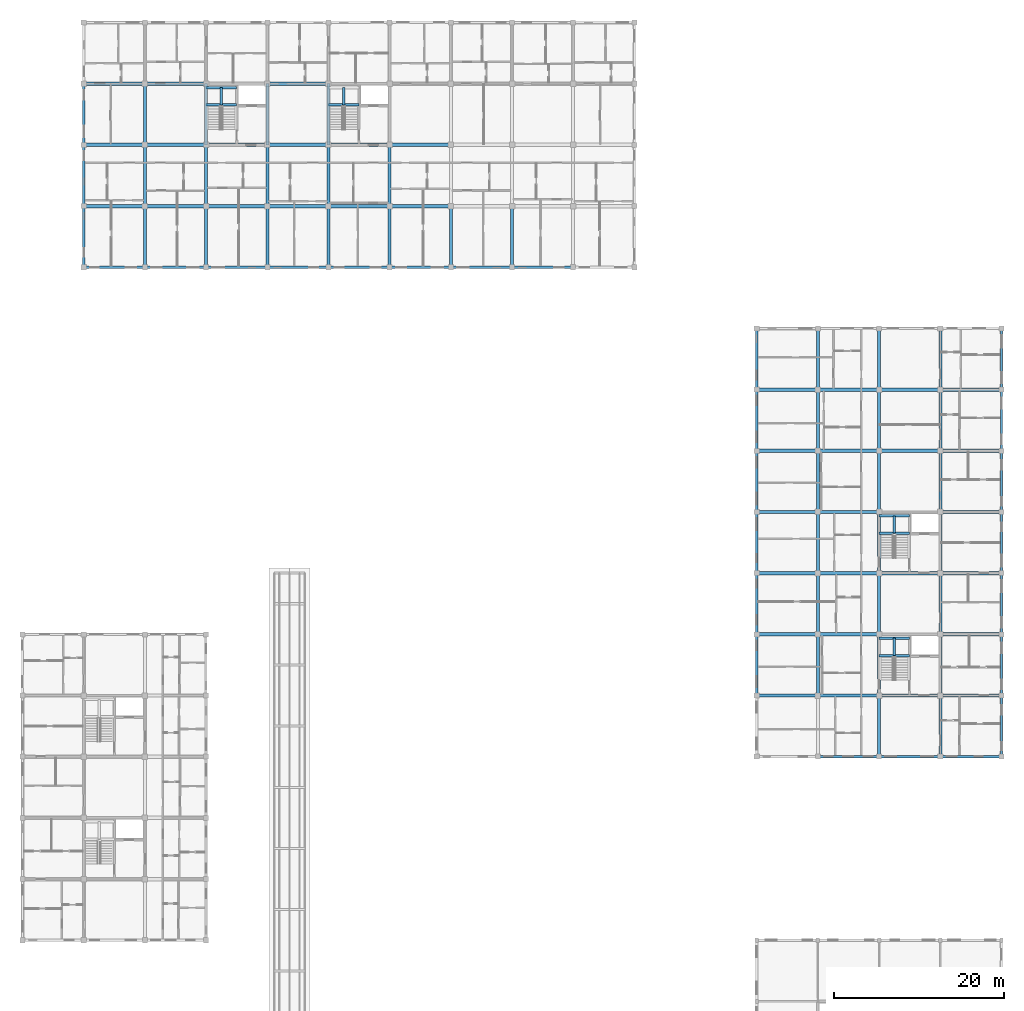
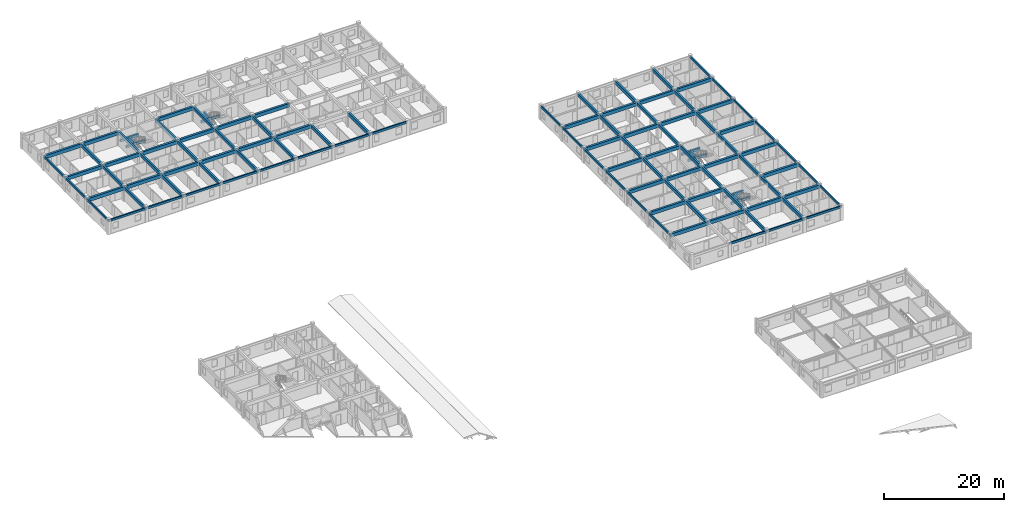
# One storey, part 11 of 50: 111 beams.
"""IFC4 building model written with IfcOpenShell, lengths in metres."""

from ifc_helpers import new_model, si_unit, direction, frame, origin, origin_2d, place, context, subcontext, project, spatial, rectangle, extrude, material, material_profile, profile_set, type_object, element, save


model = new_model("IFC4")

# Units and contexts
model_context = context("Model", 3, precision=1e-05, world=origin(), true_north=direction((0.0, 1.0)))
body_context = subcontext(model_context, "Body", "Model", "MODEL_VIEW")
ifc_project = project(units=[si_unit("LENGTHUNIT", "METRE"), si_unit("AREAUNIT", "SQUARE_METRE"), si_unit("VOLUMEUNIT", "CUBIC_METRE"), si_unit("PLANEANGLEUNIT", "RADIAN"), si_unit("MASSUNIT", "GRAM", prefix="KILO"), si_unit("THERMODYNAMICTEMPERATUREUNIT", "KELVIN"), si_unit("POWERUNIT", "WATT")], contexts=[model_context])

# Site, building, storey
site_placement = place(None, origin())
site = spatial("IfcSite", under=ifc_project, at=site_placement, CompositionType="ELEMENT")
building_placement = place(site_placement, origin())
building = spatial("IfcBuilding", under=site, at=building_placement, Name="Tavuni Mirador Residences", CompositionType="ELEMENT")
storey_placement = place(building_placement, frame((0.0, 0.0, 4.5)))
storey = spatial("IfcBuildingStorey", under=building, at=storey_placement, Name="L01", CompositionType="ELEMENT", Elevation=4.5)

# Beams
ifc_material = material(Name="Precast concrete C40/50", Category="concrete")
ifc_material_profile_1 = material_profile(ifc_material, rectangle(XDim=0.300048828125, YDim=0.5, at=origin_2d()), Name="PC 300x500", Category="concrete")
ifc_profile_set_1 = profile_set([ifc_material_profile_1], Name="Precast concrete C40/50")
beam_type_1 = type_object("IfcBeamType", Name="BT-B500", PredefinedType="BEAM", material=ifc_profile_set_1)
for number, where, z_axis, x_axis, name in (
    (1, (25.199951171875, 163.10009765625, 1.14501953125), (1.0, 0.0, 0.0), (0.0, 1.0, 0.0), "HLB1-C5-L01"),
    (2, (25.199951171875, 165.14990234375, 1.14501953125), (1.0, 0.0, 0.0), (0.0, 1.0, 0.0), "HLB2-C5-L01"),
):
    element("IfcBeam", number, at=place(storey_placement, frame(where, z_axis=z_axis, x_axis=x_axis)), inside=storey, type_object=beam_type_1, Name=name, PredefinedType="BEAM", context=body_context, shape_type="SweptSolid", body=[
        extrude(rectangle(XDim=0.300048828125, YDim=0.5, at=origin_2d()), origin(), (0.0, 0.0, 1.0), 3.60009765625),
    ])
beam_1_placement = place(storey_placement, frame((27.0, 163.10009765625, 1.14501953125), z_axis=(0.0, 1.0, 0.0), x_axis=(-1.0, 0.0, 0.0)))
element("IfcBeam", 3, at=beam_1_placement, inside=storey, type_object=beam_type_1, Name="HLB3-C5-L01", PredefinedType="BEAM", context=body_context, shape_type="SweptSolid", body=[
    extrude(rectangle(XDim=0.300048828125, YDim=0.5, at=origin_2d()), origin(), (0.0, 0.0, 1.0), 2.0498046875),
])
beam_2_placement = place(storey_placement, frame((39.60009765625, 163.10009765625, 1.14501953125), z_axis=(1.0, 0.0, 0.0), x_axis=(0.0, 1.0, 0.0)))
element("IfcBeam", 4, at=beam_2_placement, inside=storey, type_object=beam_type_1, Name="HLB1-C6-L01", PredefinedType="BEAM", context=body_context, shape_type="SweptSolid", body=[
    extrude(rectangle(XDim=0.300048828125, YDim=0.5, at=origin_2d()), origin(), (0.0, 0.0, 1.0), 3.599853515625),
])
beam_3_placement = place(storey_placement, frame((41.39990234375, 163.10009765625, 1.14501953125), z_axis=(0.0, 1.0, 0.0), x_axis=(-1.0, 0.0, 0.0)))
element("IfcBeam", 5, at=beam_3_placement, inside=storey, type_object=beam_type_1, Name="HLB3-C6-L01", PredefinedType="BEAM", context=body_context, shape_type="SweptSolid", body=[
    extrude(rectangle(XDim=0.300048828125, YDim=0.5, at=origin_2d()), origin(), (0.0, 0.0, 1.0), 2.0498046875),
])
for number, where, z_axis, x_axis, name in (
    (6, (104.39990234375, 98.300048828125, 1.14501953125), (1.0, 0.0, 0.0), (0.0, 1.0, 0.0), "HLB1-C7-L01"),
    (7, (104.39990234375, 100.35009765625, 1.14501953125), (1.0, 0.0, 0.0), (0.0, 1.0, 0.0), "HLB2-C7-L01"),
):
    element("IfcBeam", number, at=place(storey_placement, frame(where, z_axis=z_axis, x_axis=x_axis)), inside=storey, type_object=beam_type_1, Name=name, PredefinedType="BEAM", context=body_context, shape_type="SweptSolid", body=[
        extrude(rectangle(XDim=0.300048828125, YDim=0.5, at=origin_2d()), origin(), (0.0, 0.0, 1.0), 3.60009765625),
    ])
beam_4_placement = place(storey_placement, frame((106.199951171875, 98.300048828125, 1.14501953125), z_axis=(0.0, 1.0, 0.0), x_axis=(-1.0, 0.0, 0.0)))
element("IfcBeam", 8, at=beam_4_placement, inside=storey, type_object=beam_type_1, Name="HLB3-C7-L01", PredefinedType="BEAM", context=body_context, shape_type="SweptSolid", body=[
    extrude(rectangle(XDim=0.300048828125, YDim=0.5, at=origin_2d()), origin(), (0.0, 0.0, 1.0), 2.050048828125),
])
for number, where, z_axis, x_axis, name in (
    (9, (104.39990234375, 112.699951171875, 1.14501953125), (1.0, 0.0, 0.0), (0.0, 1.0, 0.0), "HLB1-C8-L01"),
    (10, (104.39990234375, 114.75, 1.14501953125), (1.0, 0.0, 0.0), (0.0, 1.0, 0.0), "HLB2-C8-L01"),
):
    element("IfcBeam", number, at=place(storey_placement, frame(where, z_axis=z_axis, x_axis=x_axis)), inside=storey, type_object=beam_type_1, Name=name, PredefinedType="BEAM", context=body_context, shape_type="SweptSolid", body=[
        extrude(rectangle(XDim=0.300048828125, YDim=0.5, at=origin_2d()), origin(), (0.0, 0.0, 1.0), 3.60009765625),
    ])
beam_5_placement = place(storey_placement, frame((106.199951171875, 112.699951171875, 1.14501953125), z_axis=(0.0, 1.0, 0.0), x_axis=(-1.0, 0.0, 0.0)))
element("IfcBeam", 11, at=beam_5_placement, inside=storey, type_object=beam_type_1, Name="HLB3-C8-L01", PredefinedType="BEAM", context=body_context, shape_type="SweptSolid", body=[
    extrude(rectangle(XDim=0.300048828125, YDim=0.5, at=origin_2d()), origin(), (0.0, 0.0, 1.0), 2.050048828125),
])
ifc_material_profile_2 = material_profile(ifc_material, rectangle(XDim=0.35009765625, YDim=0.64990234375, at=origin_2d()), Name="PC 350x650", Category="concrete")
ifc_profile_set_2 = profile_set([ifc_material_profile_2], Name="Precast concrete C40/50")
beam_type_2 = type_object("IfcBeamType", Name="BT-B650", PredefinedType="BEAM", material=ifc_profile_set_2)
for number, where, z_axis, x_axis, name in (
    (12, (18.0, 144.0, 2.56005859375), (0.0, 1.0, 0.0), (-1.0, 0.0, 0.0), "BMY-BLK-C-L01-01-00"),
    (13, (18.0, 151.199951171875, 2.56005859375), (0.0, 1.0, 0.0), (-1.0, 0.0, 0.0), "BMY-BLK-C-L01-01-01"),
):
    element("IfcBeam", number, at=place(storey_placement, frame(where, z_axis=z_axis, x_axis=x_axis)), inside=storey, type_object=beam_type_2, Name=name, PredefinedType="BEAM", context=body_context, shape_type="SweptSolid", body=[
        extrude(rectangle(XDim=0.35009765625, YDim=0.64990234375, at=origin_2d()), origin(), (0.0, 0.0, 1.0), 7.199951171875),
    ])
beam_6_placement = place(storey_placement, frame((18.0, 158.39990234375, 2.56005859375), z_axis=(0.0, 1.0, 0.0), x_axis=(-1.0, 0.0, 0.0)))
element("IfcBeam", 14, at=beam_6_placement, inside=storey, type_object=beam_type_2, Name="BMY-BLK-C-L01-01-02", PredefinedType="BEAM", context=body_context, shape_type="SweptSolid", body=[
    extrude(rectangle(XDim=0.35009765625, YDim=0.64990234375, at=origin_2d()), origin(), (0.0, 0.0, 1.0), 7.2001953125),
])
for number, where, z_axis, x_axis, name in (
    (15, (25.199951171875, 144.0, 2.56005859375), (0.0, 1.0, 0.0), (-1.0, 0.0, 0.0), "BMY-BLK-C-L01-02-00"),
    (16, (25.199951171875, 151.199951171875, 2.56005859375), (0.0, 1.0, 0.0), (-1.0, 0.0, 0.0), "BMY-BLK-C-L01-02-01"),
):
    element("IfcBeam", number, at=place(storey_placement, frame(where, z_axis=z_axis, x_axis=x_axis)), inside=storey, type_object=beam_type_2, Name=name, PredefinedType="BEAM", context=body_context, shape_type="SweptSolid", body=[
        extrude(rectangle(XDim=0.35009765625, YDim=0.64990234375, at=origin_2d()), origin(), (0.0, 0.0, 1.0), 7.199951171875),
    ])
beam_7_placement = place(storey_placement, frame((25.199951171875, 158.39990234375, 2.56005859375), z_axis=(0.0, 1.0, 0.0), x_axis=(-1.0, 0.0, 0.0)))
element("IfcBeam", 17, at=beam_7_placement, inside=storey, type_object=beam_type_2, Name="BMY-BLK-C-L01-02-02", PredefinedType="BEAM", context=body_context, shape_type="SweptSolid", body=[
    extrude(rectangle(XDim=0.35009765625, YDim=0.64990234375, at=origin_2d()), origin(), (0.0, 0.0, 1.0), 7.2001953125),
])
for number, where, z_axis, x_axis, name in (
    (18, (32.39990234375, 144.0, 2.56005859375), (0.0, 1.0, 0.0), (-1.0, 0.0, 0.0), "BMY-BLK-C-L01-03-00"),
    (19, (32.39990234375, 151.199951171875, 2.56005859375), (0.0, 1.0, 0.0), (-1.0, 0.0, 0.0), "BMY-BLK-C-L01-03-01"),
):
    element("IfcBeam", number, at=place(storey_placement, frame(where, z_axis=z_axis, x_axis=x_axis)), inside=storey, type_object=beam_type_2, Name=name, PredefinedType="BEAM", context=body_context, shape_type="SweptSolid", body=[
        extrude(rectangle(XDim=0.35009765625, YDim=0.64990234375, at=origin_2d()), origin(), (0.0, 0.0, 1.0), 7.199951171875),
    ])
beam_8_placement = place(storey_placement, frame((32.39990234375, 158.39990234375, 2.56005859375), z_axis=(0.0, 1.0, 0.0), x_axis=(-1.0, 0.0, 0.0)))
element("IfcBeam", 20, at=beam_8_placement, inside=storey, type_object=beam_type_2, Name="BMY-BLK-C-L01-03-02", PredefinedType="BEAM", context=body_context, shape_type="SweptSolid", body=[
    extrude(rectangle(XDim=0.35009765625, YDim=0.64990234375, at=origin_2d()), origin(), (0.0, 0.0, 1.0), 7.2001953125),
])
for number, where, z_axis, x_axis, name in (
    (21, (39.60009765625, 144.0, 2.56005859375), (0.0, 1.0, 0.0), (-1.0, 0.0, 0.0), "BMY-BLK-C-L01-04-00"),
    (22, (39.60009765625, 151.199951171875, 2.56005859375), (0.0, 1.0, 0.0), (-1.0, 0.0, 0.0), "BMY-BLK-C-L01-04-01"),
):
    element("IfcBeam", number, at=place(storey_placement, frame(where, z_axis=z_axis, x_axis=x_axis)), inside=storey, type_object=beam_type_2, Name=name, PredefinedType="BEAM", context=body_context, shape_type="SweptSolid", body=[
        extrude(rectangle(XDim=0.35009765625, YDim=0.64990234375, at=origin_2d()), origin(), (0.0, 0.0, 1.0), 7.199951171875),
    ])
beam_9_placement = place(storey_placement, frame((39.60009765625, 158.39990234375, 2.56005859375), z_axis=(0.0, 1.0, 0.0), x_axis=(-1.0, 0.0, 0.0)))
element("IfcBeam", 23, at=beam_9_placement, inside=storey, type_object=beam_type_2, Name="BMY-BLK-C-L01-04-02", PredefinedType="BEAM", context=body_context, shape_type="SweptSolid", body=[
    extrude(rectangle(XDim=0.35009765625, YDim=0.64990234375, at=origin_2d()), origin(), (0.0, 0.0, 1.0), 7.2001953125),
])
for number, where, z_axis, x_axis, name in (
    (24, (46.800048828125, 144.0, 2.56005859375), (0.0, 1.0, 0.0), (-1.0, 0.0, 0.0), "BMY-BLK-C-L01-05-00"),
    (25, (46.800048828125, 151.199951171875, 2.56005859375), (0.0, 1.0, 0.0), (-1.0, 0.0, 0.0), "BMY-BLK-C-L01-05-01"),
    (26, (54.0, 144.0, 2.56005859375), (0.0, 1.0, 0.0), (-1.0, 0.0, 0.0), "BMY-BLK-C-L01-06-00"),
    (27, (61.199951171875, 144.0, 2.56005859375), (0.0, 1.0, 0.0), (-1.0, 0.0, 0.0), "BMY-BLK-C-L01-07-00"),
    (28, (97.199951171875, 93.60009765625, 2.56494140625), (0.0, 1.0, 0.0), (-1.0, 0.0, 0.0), "BMY-BLK-D-L01-01-01"),
    (29, (97.199951171875, 100.800048828125, 2.56494140625), (0.0, 1.0, 0.0), (-1.0, 0.0, 0.0), "BMY-BLK-D-L01-01-02"),
    (30, (97.199951171875, 108.0, 2.56494140625), (0.0, 1.0, 0.0), (-1.0, 0.0, 0.0), "BMY-BLK-D-L01-01-03"),
    (31, (97.199951171875, 115.199951171875, 2.56494140625), (0.0, 1.0, 0.0), (-1.0, 0.0, 0.0), "BMY-BLK-D-L01-01-04"),
):
    element("IfcBeam", number, at=place(storey_placement, frame(where, z_axis=z_axis, x_axis=x_axis)), inside=storey, type_object=beam_type_2, Name=name, PredefinedType="BEAM", context=body_context, shape_type="SweptSolid", body=[
        extrude(rectangle(XDim=0.35009765625, YDim=0.64990234375, at=origin_2d()), origin(), (0.0, 0.0, 1.0), 7.199951171875),
    ])
beam_10_placement = place(storey_placement, frame((97.199951171875, 122.39990234375, 2.56494140625), z_axis=(0.0, 1.0, 0.0), x_axis=(-1.0, 0.0, 0.0)))
element("IfcBeam", 32, at=beam_10_placement, inside=storey, type_object=beam_type_2, Name="BMY-BLK-D-L01-01-05", PredefinedType="BEAM", context=body_context, shape_type="SweptSolid", body=[
    extrude(rectangle(XDim=0.35009765625, YDim=0.64990234375, at=origin_2d()), origin(), (0.0, 0.0, 1.0), 7.2001953125),
])
beam_11_placement = place(storey_placement, frame((97.199951171875, 129.60009765625, 2.56494140625), z_axis=(0.0, 1.0, 0.0), x_axis=(-1.0, 0.0, 0.0)))
element("IfcBeam", 33, at=beam_11_placement, inside=storey, type_object=beam_type_2, Name="BMY-BLK-D-L01-01-06", PredefinedType="BEAM", context=body_context, shape_type="SweptSolid", body=[
    extrude(rectangle(XDim=0.35009765625, YDim=0.64990234375, at=origin_2d()), origin(), (0.0, 0.0, 1.0), 7.199951171875),
])
beam_12_placement = place(storey_placement, frame((104.39990234375, 86.39990234375, 2.56494140625), z_axis=(0.0, 1.0, 0.0), x_axis=(-1.0, 0.0, 0.0)))
element("IfcBeam", 34, at=beam_12_placement, inside=storey, type_object=beam_type_2, Name="BMY-BLK-D-L01-02-00", PredefinedType="BEAM", context=body_context, shape_type="SweptSolid", body=[
    extrude(rectangle(XDim=0.35009765625, YDim=0.64990234375, at=origin_2d()), origin(), (0.0, 0.0, 1.0), 7.2001953125),
])
for number, where, z_axis, x_axis, name in (
    (35, (104.39990234375, 93.60009765625, 2.56494140625), (0.0, 1.0, 0.0), (-1.0, 0.0, 0.0), "BMY-BLK-D-L01-02-01"),
    (36, (104.39990234375, 100.800048828125, 2.56494140625), (0.0, 1.0, 0.0), (-1.0, 0.0, 0.0), "BMY-BLK-D-L01-02-02"),
    (37, (104.39990234375, 108.0, 2.56494140625), (0.0, 1.0, 0.0), (-1.0, 0.0, 0.0), "BMY-BLK-D-L01-02-03"),
    (38, (104.39990234375, 115.199951171875, 2.56494140625), (0.0, 1.0, 0.0), (-1.0, 0.0, 0.0), "BMY-BLK-D-L01-02-04"),
):
    element("IfcBeam", number, at=place(storey_placement, frame(where, z_axis=z_axis, x_axis=x_axis)), inside=storey, type_object=beam_type_2, Name=name, PredefinedType="BEAM", context=body_context, shape_type="SweptSolid", body=[
        extrude(rectangle(XDim=0.35009765625, YDim=0.64990234375, at=origin_2d()), origin(), (0.0, 0.0, 1.0), 7.199951171875),
    ])
beam_13_placement = place(storey_placement, frame((104.39990234375, 122.39990234375, 2.56494140625), z_axis=(0.0, 1.0, 0.0), x_axis=(-1.0, 0.0, 0.0)))
element("IfcBeam", 39, at=beam_13_placement, inside=storey, type_object=beam_type_2, Name="BMY-BLK-D-L01-02-05", PredefinedType="BEAM", context=body_context, shape_type="SweptSolid", body=[
    extrude(rectangle(XDim=0.35009765625, YDim=0.64990234375, at=origin_2d()), origin(), (0.0, 0.0, 1.0), 7.2001953125),
])
beam_14_placement = place(storey_placement, frame((104.39990234375, 129.60009765625, 2.56494140625), z_axis=(0.0, 1.0, 0.0), x_axis=(-1.0, 0.0, 0.0)))
element("IfcBeam", 40, at=beam_14_placement, inside=storey, type_object=beam_type_2, Name="BMY-BLK-D-L01-02-06", PredefinedType="BEAM", context=body_context, shape_type="SweptSolid", body=[
    extrude(rectangle(XDim=0.35009765625, YDim=0.64990234375, at=origin_2d()), origin(), (0.0, 0.0, 1.0), 7.199951171875),
])
beam_15_placement = place(storey_placement, frame((111.60009765625, 86.39990234375, 2.56494140625), z_axis=(0.0, 1.0, 0.0), x_axis=(-1.0, 0.0, 0.0)))
element("IfcBeam", 41, at=beam_15_placement, inside=storey, type_object=beam_type_2, Name="BMY-BLK-D-L01-03-00", PredefinedType="BEAM", context=body_context, shape_type="SweptSolid", body=[
    extrude(rectangle(XDim=0.35009765625, YDim=0.64990234375, at=origin_2d()), origin(), (0.0, 0.0, 1.0), 7.2001953125),
])
for number, where, z_axis, x_axis, name in (
    (42, (111.60009765625, 93.60009765625, 2.56494140625), (0.0, 1.0, 0.0), (-1.0, 0.0, 0.0), "BMY-BLK-D-L01-03-01"),
    (43, (111.60009765625, 100.800048828125, 2.56494140625), (0.0, 1.0, 0.0), (-1.0, 0.0, 0.0), "BMY-BLK-D-L01-03-02"),
    (44, (111.60009765625, 108.0, 2.56494140625), (0.0, 1.0, 0.0), (-1.0, 0.0, 0.0), "BMY-BLK-D-L01-03-03"),
    (45, (111.60009765625, 115.199951171875, 2.56494140625), (0.0, 1.0, 0.0), (-1.0, 0.0, 0.0), "BMY-BLK-D-L01-03-04"),
):
    element("IfcBeam", number, at=place(storey_placement, frame(where, z_axis=z_axis, x_axis=x_axis)), inside=storey, type_object=beam_type_2, Name=name, PredefinedType="BEAM", context=body_context, shape_type="SweptSolid", body=[
        extrude(rectangle(XDim=0.35009765625, YDim=0.64990234375, at=origin_2d()), origin(), (0.0, 0.0, 1.0), 7.199951171875),
    ])
beam_16_placement = place(storey_placement, frame((111.60009765625, 122.39990234375, 2.56494140625), z_axis=(0.0, 1.0, 0.0), x_axis=(-1.0, 0.0, 0.0)))
element("IfcBeam", 46, at=beam_16_placement, inside=storey, type_object=beam_type_2, Name="BMY-BLK-D-L01-03-05", PredefinedType="BEAM", context=body_context, shape_type="SweptSolid", body=[
    extrude(rectangle(XDim=0.35009765625, YDim=0.64990234375, at=origin_2d()), origin(), (0.0, 0.0, 1.0), 7.2001953125),
])
beam_17_placement = place(storey_placement, frame((111.60009765625, 129.60009765625, 2.56494140625), z_axis=(0.0, 1.0, 0.0), x_axis=(-1.0, 0.0, 0.0)))
element("IfcBeam", 47, at=beam_17_placement, inside=storey, type_object=beam_type_2, Name="BMY-BLK-D-L01-03-06", PredefinedType="BEAM", context=body_context, shape_type="SweptSolid", body=[
    extrude(rectangle(XDim=0.35009765625, YDim=0.64990234375, at=origin_2d()), origin(), (0.0, 0.0, 1.0), 7.199951171875),
])
ifc_material_profile_3 = material_profile(ifc_material, rectangle(XDim=0.39990234375, YDim=0.699951171875, at=origin_2d()), Name="PC 400x700", Category="concrete")
ifc_profile_set_3 = profile_set([ifc_material_profile_3], Name="Precast concrete C40/50")
beam_type_3 = type_object("IfcBeamType", Name="BT-B700", PredefinedType="BEAM", material=ifc_profile_set_3)
for number, where, z_axis, x_axis, name in (
    (48, (10.800048828125, 151.199951171875, 2.534912109375), (1.0, 0.0, 0.0), (0.0, 1.0, 0.0), "BMX-BLK-C-L01-00-01"),
    (49, (18.0, 151.199951171875, 2.534912109375), (1.0, 0.0, 0.0), (0.0, 1.0, 0.0), "BMX-BLK-C-L01-01-01"),
    (50, (25.199951171875, 151.199951171875, 2.534912109375), (1.0, 0.0, 0.0), (0.0, 1.0, 0.0), "BMX-BLK-C-L01-02-01"),
):
    element("IfcBeam", number, at=place(storey_placement, frame(where, z_axis=z_axis, x_axis=x_axis)), inside=storey, type_object=beam_type_3, Name=name, PredefinedType="BEAM", context=body_context, shape_type="SweptSolid", body=[
        extrude(rectangle(XDim=0.39990234375, YDim=0.699951171875, at=origin_2d()), origin(), (0.0, 0.0, 1.0), 7.199951171875),
    ])
beam_18_placement = place(storey_placement, frame((32.39990234375, 151.199951171875, 2.534912109375), z_axis=(1.0, 0.0, 0.0), x_axis=(0.0, 1.0, 0.0)))
element("IfcBeam", 51, at=beam_18_placement, inside=storey, type_object=beam_type_3, Name="BMX-BLK-C-L01-03-01", PredefinedType="BEAM", context=body_context, shape_type="SweptSolid", body=[
    extrude(rectangle(XDim=0.39990234375, YDim=0.699951171875, at=origin_2d()), origin(), (0.0, 0.0, 1.0), 7.2001953125),
])
for number, where, z_axis, x_axis, name in (
    (52, (39.60009765625, 151.199951171875, 2.534912109375), (1.0, 0.0, 0.0), (0.0, 1.0, 0.0), "BMX-BLK-C-L01-04-01"),
    (53, (46.800048828125, 151.199951171875, 2.534912109375), (1.0, 0.0, 0.0), (0.0, 1.0, 0.0), "BMX-BLK-C-L01-05-01"),
    (54, (10.800048828125, 158.39990234375, 2.534912109375), (1.0, 0.0, 0.0), (0.0, 1.0, 0.0), "BMX-BLK-C-L01-00-02"),
    (55, (18.0, 158.39990234375, 2.534912109375), (1.0, 0.0, 0.0), (0.0, 1.0, 0.0), "BMX-BLK-C-L01-01-02"),
    (56, (25.199951171875, 158.39990234375, 2.534912109375), (1.0, 0.0, 0.0), (0.0, 1.0, 0.0), "BMX-BLK-C-L01-02-02"),
):
    element("IfcBeam", number, at=place(storey_placement, frame(where, z_axis=z_axis, x_axis=x_axis)), inside=storey, type_object=beam_type_3, Name=name, PredefinedType="BEAM", context=body_context, shape_type="SweptSolid", body=[
        extrude(rectangle(XDim=0.39990234375, YDim=0.699951171875, at=origin_2d()), origin(), (0.0, 0.0, 1.0), 7.199951171875),
    ])
beam_19_placement = place(storey_placement, frame((32.39990234375, 158.39990234375, 2.534912109375), z_axis=(1.0, 0.0, 0.0), x_axis=(0.0, 1.0, 0.0)))
element("IfcBeam", 57, at=beam_19_placement, inside=storey, type_object=beam_type_3, Name="BMX-BLK-C-L01-03-02", PredefinedType="BEAM", context=body_context, shape_type="SweptSolid", body=[
    extrude(rectangle(XDim=0.39990234375, YDim=0.699951171875, at=origin_2d()), origin(), (0.0, 0.0, 1.0), 7.2001953125),
])
for number, where, z_axis, x_axis, name in (
    (58, (39.60009765625, 158.39990234375, 2.534912109375), (1.0, 0.0, 0.0), (0.0, 1.0, 0.0), "BMX-BLK-C-L01-04-02"),
    (59, (46.800048828125, 158.39990234375, 2.534912109375), (1.0, 0.0, 0.0), (0.0, 1.0, 0.0), "BMX-BLK-C-L01-05-02"),
    (60, (10.800048828125, 165.60009765625, 2.534912109375), (1.0, 0.0, 0.0), (0.0, 1.0, 0.0), "BMX-BLK-C-L01-00-03"),
    (61, (18.0, 165.60009765625, 2.534912109375), (1.0, 0.0, 0.0), (0.0, 1.0, 0.0), "BMX-BLK-C-L01-01-03"),
):
    element("IfcBeam", number, at=place(storey_placement, frame(where, z_axis=z_axis, x_axis=x_axis)), inside=storey, type_object=beam_type_3, Name=name, PredefinedType="BEAM", context=body_context, shape_type="SweptSolid", body=[
        extrude(rectangle(XDim=0.39990234375, YDim=0.699951171875, at=origin_2d()), origin(), (0.0, 0.0, 1.0), 7.199951171875),
    ])
beam_20_placement = place(storey_placement, frame((32.39990234375, 165.60009765625, 2.534912109375), z_axis=(1.0, 0.0, 0.0), x_axis=(0.0, 1.0, 0.0)))
element("IfcBeam", 62, at=beam_20_placement, inside=storey, type_object=beam_type_3, Name="BMX-BLK-C-L01-03-03", PredefinedType="BEAM", context=body_context, shape_type="SweptSolid", body=[
    extrude(rectangle(XDim=0.39990234375, YDim=0.699951171875, at=origin_2d()), origin(), (0.0, 0.0, 1.0), 7.2001953125),
])
for number, where, z_axis, x_axis, name in (
    (63, (90.0, 93.60009765625, 2.5400390625), (1.0, 0.0, 0.0), (0.0, 1.0, 0.0), "BMX-BLK-D-L01-00-01"),
    (64, (97.199951171875, 93.60009765625, 2.5400390625), (1.0, 0.0, 0.0), (0.0, 1.0, 0.0), "BMX-BLK-D-L01-01-01"),
):
    element("IfcBeam", number, at=place(storey_placement, frame(where, z_axis=z_axis, x_axis=x_axis)), inside=storey, type_object=beam_type_3, Name=name, PredefinedType="BEAM", context=body_context, shape_type="SweptSolid", body=[
        extrude(rectangle(XDim=0.39990234375, YDim=0.699951171875, at=origin_2d()), origin(), (0.0, 0.0, 1.0), 7.199951171875),
    ])
beam_21_placement = place(storey_placement, frame((104.39990234375, 93.60009765625, 2.5400390625), z_axis=(1.0, 0.0, 0.0), x_axis=(0.0, 1.0, 0.0)))
element("IfcBeam", 65, at=beam_21_placement, inside=storey, type_object=beam_type_3, Name="BMX-BLK-D-L01-02-01", PredefinedType="BEAM", context=body_context, shape_type="SweptSolid", body=[
    extrude(rectangle(XDim=0.39990234375, YDim=0.699951171875, at=origin_2d()), origin(), (0.0, 0.0, 1.0), 7.2001953125),
])
for number, where, z_axis, x_axis, name in (
    (66, (111.60009765625, 93.60009765625, 2.5400390625), (1.0, 0.0, 0.0), (0.0, 1.0, 0.0), "BMX-BLK-D-L01-03-01"),
    (67, (90.0, 100.800048828125, 2.5400390625), (1.0, 0.0, 0.0), (0.0, 1.0, 0.0), "BMX-BLK-D-L01-00-02"),
    (68, (97.199951171875, 100.800048828125, 2.5400390625), (1.0, 0.0, 0.0), (0.0, 1.0, 0.0), "BMX-BLK-D-L01-01-02"),
    (69, (111.60009765625, 100.800048828125, 2.5400390625), (1.0, 0.0, 0.0), (0.0, 1.0, 0.0), "BMX-BLK-D-L01-03-02"),
    (70, (90.0, 108.0, 2.5400390625), (1.0, 0.0, 0.0), (0.0, 1.0, 0.0), "BMX-BLK-D-L01-00-03"),
    (71, (97.199951171875, 108.0, 2.5400390625), (1.0, 0.0, 0.0), (0.0, 1.0, 0.0), "BMX-BLK-D-L01-01-03"),
):
    element("IfcBeam", number, at=place(storey_placement, frame(where, z_axis=z_axis, x_axis=x_axis)), inside=storey, type_object=beam_type_3, Name=name, PredefinedType="BEAM", context=body_context, shape_type="SweptSolid", body=[
        extrude(rectangle(XDim=0.39990234375, YDim=0.699951171875, at=origin_2d()), origin(), (0.0, 0.0, 1.0), 7.199951171875),
    ])
beam_22_placement = place(storey_placement, frame((104.39990234375, 108.0, 2.5400390625), z_axis=(1.0, 0.0, 0.0), x_axis=(0.0, 1.0, 0.0)))
element("IfcBeam", 72, at=beam_22_placement, inside=storey, type_object=beam_type_3, Name="BMX-BLK-D-L01-02-03", PredefinedType="BEAM", context=body_context, shape_type="SweptSolid", body=[
    extrude(rectangle(XDim=0.39990234375, YDim=0.699951171875, at=origin_2d()), origin(), (0.0, 0.0, 1.0), 7.2001953125),
])
for number, where, z_axis, x_axis, name in (
    (73, (111.60009765625, 108.0, 2.5400390625), (1.0, 0.0, 0.0), (0.0, 1.0, 0.0), "BMX-BLK-D-L01-03-03"),
    (74, (90.0, 115.199951171875, 2.5400390625), (1.0, 0.0, 0.0), (0.0, 1.0, 0.0), "BMX-BLK-D-L01-00-04"),
    (75, (97.199951171875, 115.199951171875, 2.5400390625), (1.0, 0.0, 0.0), (0.0, 1.0, 0.0), "BMX-BLK-D-L01-01-04"),
    (76, (111.60009765625, 115.199951171875, 2.5400390625), (1.0, 0.0, 0.0), (0.0, 1.0, 0.0), "BMX-BLK-D-L01-03-04"),
    (77, (90.0, 122.39990234375, 2.5400390625), (1.0, 0.0, 0.0), (0.0, 1.0, 0.0), "BMX-BLK-D-L01-00-05"),
    (78, (97.199951171875, 122.39990234375, 2.5400390625), (1.0, 0.0, 0.0), (0.0, 1.0, 0.0), "BMX-BLK-D-L01-01-05"),
):
    element("IfcBeam", number, at=place(storey_placement, frame(where, z_axis=z_axis, x_axis=x_axis)), inside=storey, type_object=beam_type_3, Name=name, PredefinedType="BEAM", context=body_context, shape_type="SweptSolid", body=[
        extrude(rectangle(XDim=0.39990234375, YDim=0.699951171875, at=origin_2d()), origin(), (0.0, 0.0, 1.0), 7.199951171875),
    ])
beam_23_placement = place(storey_placement, frame((104.39990234375, 122.39990234375, 2.5400390625), z_axis=(1.0, 0.0, 0.0), x_axis=(0.0, 1.0, 0.0)))
element("IfcBeam", 79, at=beam_23_placement, inside=storey, type_object=beam_type_3, Name="BMX-BLK-D-L01-02-05", PredefinedType="BEAM", context=body_context, shape_type="SweptSolid", body=[
    extrude(rectangle(XDim=0.39990234375, YDim=0.699951171875, at=origin_2d()), origin(), (0.0, 0.0, 1.0), 7.2001953125),
])
for number, where, z_axis, x_axis, name in (
    (80, (111.60009765625, 122.39990234375, 2.5400390625), (1.0, 0.0, 0.0), (0.0, 1.0, 0.0), "BMX-BLK-D-L01-03-05"),
    (81, (90.0, 129.60009765625, 2.5400390625), (1.0, 0.0, 0.0), (0.0, 1.0, 0.0), "BMX-BLK-D-L01-00-06"),
    (82, (97.199951171875, 129.60009765625, 2.5400390625), (1.0, 0.0, 0.0), (0.0, 1.0, 0.0), "BMX-BLK-D-L01-01-06"),
):
    element("IfcBeam", number, at=place(storey_placement, frame(where, z_axis=z_axis, x_axis=x_axis)), inside=storey, type_object=beam_type_3, Name=name, PredefinedType="BEAM", context=body_context, shape_type="SweptSolid", body=[
        extrude(rectangle(XDim=0.39990234375, YDim=0.699951171875, at=origin_2d()), origin(), (0.0, 0.0, 1.0), 7.199951171875),
    ])
beam_24_placement = place(storey_placement, frame((104.39990234375, 129.60009765625, 2.5400390625), z_axis=(1.0, 0.0, 0.0), x_axis=(0.0, 1.0, 0.0)))
element("IfcBeam", 83, at=beam_24_placement, inside=storey, type_object=beam_type_3, Name="BMX-BLK-D-L01-02-06", PredefinedType="BEAM", context=body_context, shape_type="SweptSolid", body=[
    extrude(rectangle(XDim=0.39990234375, YDim=0.699951171875, at=origin_2d()), origin(), (0.0, 0.0, 1.0), 7.2001953125),
])
beam_25_placement = place(storey_placement, frame((111.60009765625, 129.60009765625, 2.5400390625), z_axis=(1.0, 0.0, 0.0), x_axis=(0.0, 1.0, 0.0)))
element("IfcBeam", 84, at=beam_25_placement, inside=storey, type_object=beam_type_3, Name="BMX-BLK-D-L01-03-06", PredefinedType="BEAM", context=body_context, shape_type="SweptSolid", body=[
    extrude(rectangle(XDim=0.39990234375, YDim=0.699951171875, at=origin_2d()), origin(), (0.0, 0.0, 1.0), 7.199951171875),
])
ifc_material_profile_4 = material_profile(ifc_material, rectangle(XDim=0.25, YDim=0.419921875, at=origin_2d()), Name="PC 250x420", Category="concrete")
ifc_profile_set_4 = profile_set([ifc_material_profile_4], Name="Precast concrete C40/50")
beam_type_4 = type_object("IfcBeamType", Name="BT-SP420", PredefinedType="SPANDREL", material=ifc_profile_set_4)
for number, where, z_axis, x_axis, name in (
    (85, (10.800048828125, 144.0, 2.675048828125), (1.0, 0.0, 0.0), (0.0, 1.0, 0.0), "BMX-BLK-C-L01-00-00"),
    (86, (18.0, 144.0, 2.675048828125), (1.0, 0.0, 0.0), (0.0, 1.0, 0.0), "BMX-BLK-C-L01-01-00"),
    (87, (25.199951171875, 144.0, 2.675048828125), (1.0, 0.0, 0.0), (0.0, 1.0, 0.0), "BMX-BLK-C-L01-02-00"),
):
    element("IfcBeam", number, at=place(storey_placement, frame(where, z_axis=z_axis, x_axis=x_axis)), inside=storey, type_object=beam_type_4, Name=name, PredefinedType="SPANDREL", context=body_context, shape_type="SweptSolid", body=[
        extrude(rectangle(XDim=0.25, YDim=0.419921875, at=origin_2d()), origin(), (0.0, 0.0, 1.0), 7.199951171875),
    ])
beam_26_placement = place(storey_placement, frame((32.39990234375, 144.0, 2.675048828125), z_axis=(1.0, 0.0, 0.0), x_axis=(0.0, 1.0, 0.0)))
element("IfcBeam", 88, at=beam_26_placement, inside=storey, type_object=beam_type_4, Name="BMX-BLK-C-L01-03-00", PredefinedType="SPANDREL", context=body_context, shape_type="SweptSolid", body=[
    extrude(rectangle(XDim=0.25, YDim=0.419921875, at=origin_2d()), origin(), (0.0, 0.0, 1.0), 7.2001953125),
])
for number, where, z_axis, x_axis, name in (
    (89, (39.60009765625, 144.0, 2.675048828125), (1.0, 0.0, 0.0), (0.0, 1.0, 0.0), "BMX-BLK-C-L01-04-00"),
    (90, (46.800048828125, 144.0, 2.675048828125), (1.0, 0.0, 0.0), (0.0, 1.0, 0.0), "BMX-BLK-C-L01-05-00"),
    (91, (54.0, 144.0, 2.675048828125), (1.0, 0.0, 0.0), (0.0, 1.0, 0.0), "BMX-BLK-C-L01-06-00"),
    (92, (61.199951171875, 144.0, 2.675048828125), (1.0, 0.0, 0.0), (0.0, 1.0, 0.0), "BMX-BLK-C-L01-07-00"),
    (93, (10.800048828125, 144.0, 2.675048828125), (0.0, 1.0, 0.0), (-1.0, 0.0, 0.0), "BMY-BLK-C-L01-00-00"),
    (94, (10.800048828125, 151.199951171875, 2.675048828125), (0.0, 1.0, 0.0), (-1.0, 0.0, 0.0), "BMY-BLK-C-L01-00-01"),
):
    element("IfcBeam", number, at=place(storey_placement, frame(where, z_axis=z_axis, x_axis=x_axis)), inside=storey, type_object=beam_type_4, Name=name, PredefinedType="SPANDREL", context=body_context, shape_type="SweptSolid", body=[
        extrude(rectangle(XDim=0.25, YDim=0.419921875, at=origin_2d()), origin(), (0.0, 0.0, 1.0), 7.199951171875),
    ])
beam_27_placement = place(storey_placement, frame((10.800048828125, 158.39990234375, 2.675048828125), z_axis=(0.0, 1.0, 0.0), x_axis=(-1.0, 0.0, 0.0)))
element("IfcBeam", 95, at=beam_27_placement, inside=storey, type_object=beam_type_4, Name="BMY-BLK-C-L01-00-02", PredefinedType="SPANDREL", context=body_context, shape_type="SweptSolid", body=[
    extrude(rectangle(XDim=0.25, YDim=0.419921875, at=origin_2d()), origin(), (0.0, 0.0, 1.0), 7.2001953125),
])
beam_28_placement = place(storey_placement, frame((97.199951171875, 86.39990234375, 2.679931640625), z_axis=(1.0, 0.0, 0.0), x_axis=(0.0, 1.0, 0.0)))
element("IfcBeam", 96, at=beam_28_placement, inside=storey, type_object=beam_type_4, Name="BMX-BLK-D-L01-01-00", PredefinedType="SPANDREL", context=body_context, shape_type="SweptSolid", body=[
    extrude(rectangle(XDim=0.25, YDim=0.419921875, at=origin_2d()), origin(), (0.0, 0.0, 1.0), 7.199951171875),
])
beam_29_placement = place(storey_placement, frame((104.39990234375, 86.39990234375, 2.679931640625), z_axis=(1.0, 0.0, 0.0), x_axis=(0.0, 1.0, 0.0)))
element("IfcBeam", 97, at=beam_29_placement, inside=storey, type_object=beam_type_4, Name="BMX-BLK-D-L01-02-00", PredefinedType="SPANDREL", context=body_context, shape_type="SweptSolid", body=[
    extrude(rectangle(XDim=0.25, YDim=0.419921875, at=origin_2d()), origin(), (0.0, 0.0, 1.0), 7.2001953125),
])
for number, where, z_axis, x_axis, name in (
    (98, (111.60009765625, 86.39990234375, 2.679931640625), (1.0, 0.0, 0.0), (0.0, 1.0, 0.0), "BMX-BLK-D-L01-03-00"),
    (99, (90.0, 93.60009765625, 2.679931640625), (0.0, 1.0, 0.0), (-1.0, 0.0, 0.0), "BMY-BLK-D-L01-00-01"),
    (100, (90.0, 100.800048828125, 2.679931640625), (0.0, 1.0, 0.0), (-1.0, 0.0, 0.0), "BMY-BLK-D-L01-00-02"),
    (101, (90.0, 108.0, 2.679931640625), (0.0, 1.0, 0.0), (-1.0, 0.0, 0.0), "BMY-BLK-D-L01-00-03"),
    (102, (90.0, 115.199951171875, 2.679931640625), (0.0, 1.0, 0.0), (-1.0, 0.0, 0.0), "BMY-BLK-D-L01-00-04"),
):
    element("IfcBeam", number, at=place(storey_placement, frame(where, z_axis=z_axis, x_axis=x_axis)), inside=storey, type_object=beam_type_4, Name=name, PredefinedType="SPANDREL", context=body_context, shape_type="SweptSolid", body=[
        extrude(rectangle(XDim=0.25, YDim=0.419921875, at=origin_2d()), origin(), (0.0, 0.0, 1.0), 7.199951171875),
    ])
beam_30_placement = place(storey_placement, frame((90.0, 122.39990234375, 2.679931640625), z_axis=(0.0, 1.0, 0.0), x_axis=(-1.0, 0.0, 0.0)))
element("IfcBeam", 103, at=beam_30_placement, inside=storey, type_object=beam_type_4, Name="BMY-BLK-D-L01-00-05", PredefinedType="SPANDREL", context=body_context, shape_type="SweptSolid", body=[
    extrude(rectangle(XDim=0.25, YDim=0.419921875, at=origin_2d()), origin(), (0.0, 0.0, 1.0), 7.2001953125),
])
beam_31_placement = place(storey_placement, frame((90.0, 129.60009765625, 2.679931640625), z_axis=(0.0, 1.0, 0.0), x_axis=(-1.0, 0.0, 0.0)))
element("IfcBeam", 104, at=beam_31_placement, inside=storey, type_object=beam_type_4, Name="BMY-BLK-D-L01-00-06", PredefinedType="SPANDREL", context=body_context, shape_type="SweptSolid", body=[
    extrude(rectangle(XDim=0.25, YDim=0.419921875, at=origin_2d()), origin(), (0.0, 0.0, 1.0), 7.199951171875),
])
beam_32_placement = place(storey_placement, frame((118.800048828125, 86.39990234375, 2.679931640625), z_axis=(0.0, 1.0, 0.0), x_axis=(-1.0, 0.0, 0.0)))
element("IfcBeam", 105, at=beam_32_placement, inside=storey, type_object=beam_type_4, Name="BMY-BLK-D-L01-04-00", PredefinedType="SPANDREL", context=body_context, shape_type="SweptSolid", body=[
    extrude(rectangle(XDim=0.25, YDim=0.419921875, at=origin_2d()), origin(), (0.0, 0.0, 1.0), 7.2001953125),
])
for number, where, z_axis, x_axis, name in (
    (106, (118.800048828125, 93.60009765625, 2.679931640625), (0.0, 1.0, 0.0), (-1.0, 0.0, 0.0), "BMY-BLK-D-L01-04-01"),
    (107, (118.800048828125, 100.800048828125, 2.679931640625), (0.0, 1.0, 0.0), (-1.0, 0.0, 0.0), "BMY-BLK-D-L01-04-02"),
    (108, (118.800048828125, 108.0, 2.679931640625), (0.0, 1.0, 0.0), (-1.0, 0.0, 0.0), "BMY-BLK-D-L01-04-03"),
    (109, (118.800048828125, 115.199951171875, 2.679931640625), (0.0, 1.0, 0.0), (-1.0, 0.0, 0.0), "BMY-BLK-D-L01-04-04"),
):
    element("IfcBeam", number, at=place(storey_placement, frame(where, z_axis=z_axis, x_axis=x_axis)), inside=storey, type_object=beam_type_4, Name=name, PredefinedType="SPANDREL", context=body_context, shape_type="SweptSolid", body=[
        extrude(rectangle(XDim=0.25, YDim=0.419921875, at=origin_2d()), origin(), (0.0, 0.0, 1.0), 7.199951171875),
    ])
beam_33_placement = place(storey_placement, frame((118.800048828125, 122.39990234375, 2.679931640625), z_axis=(0.0, 1.0, 0.0), x_axis=(-1.0, 0.0, 0.0)))
element("IfcBeam", 110, at=beam_33_placement, inside=storey, type_object=beam_type_4, Name="BMY-BLK-D-L01-04-05", PredefinedType="SPANDREL", context=body_context, shape_type="SweptSolid", body=[
    extrude(rectangle(XDim=0.25, YDim=0.419921875, at=origin_2d()), origin(), (0.0, 0.0, 1.0), 7.2001953125),
])
beam_34_placement = place(storey_placement, frame((118.800048828125, 129.60009765625, 2.679931640625), z_axis=(0.0, 1.0, 0.0), x_axis=(-1.0, 0.0, 0.0)))
element("IfcBeam", 111, at=beam_34_placement, inside=storey, type_object=beam_type_4, Name="BMY-BLK-D-L01-04-06", PredefinedType="SPANDREL", context=body_context, shape_type="SweptSolid", body=[
    extrude(rectangle(XDim=0.25, YDim=0.419921875, at=origin_2d()), origin(), (0.0, 0.0, 1.0), 7.199951171875),
])

save(model, "model.ifc")
